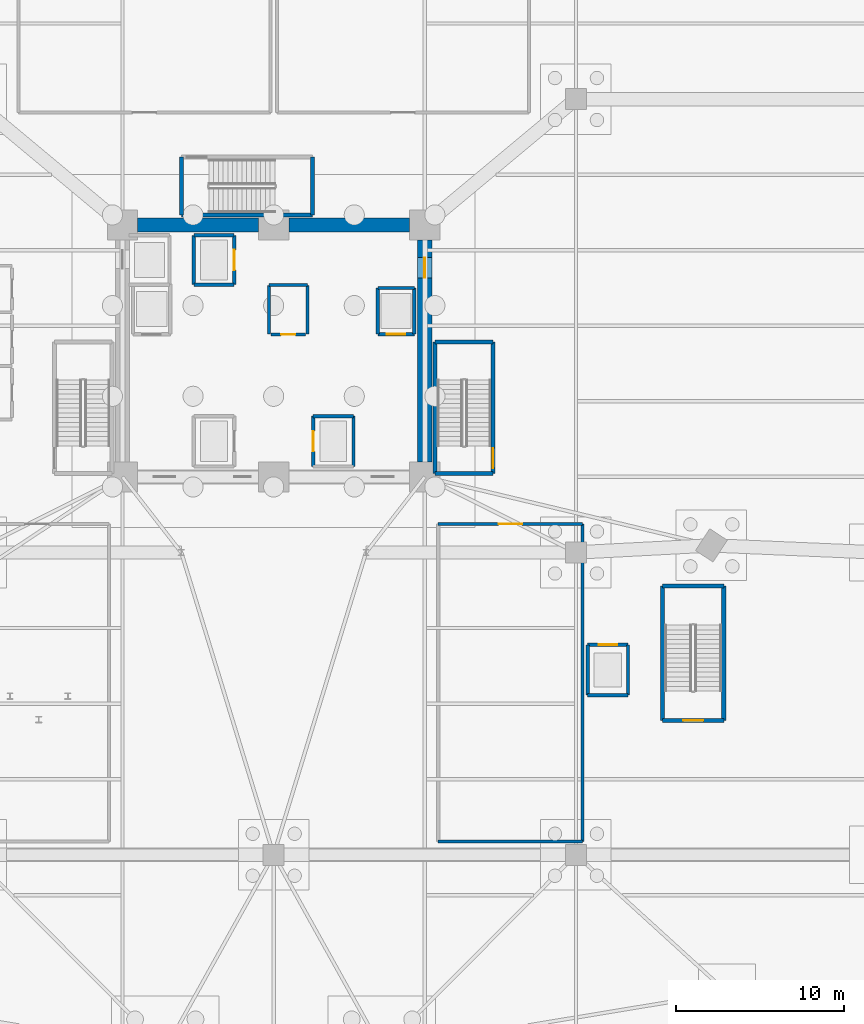
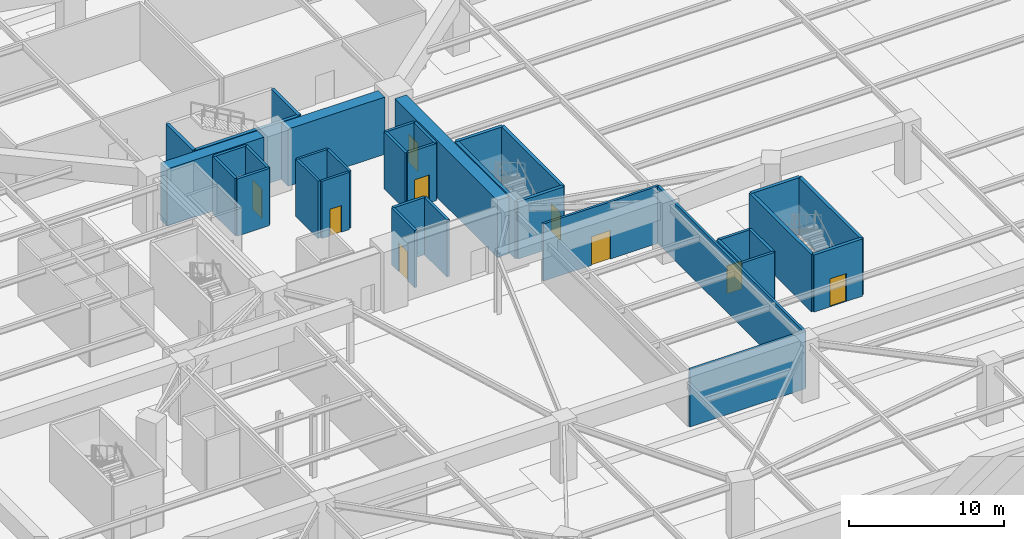
# One storey, part 11 of 19: 36 walls, 9 doors, 9 openings.
"""IFC4 building model written with IfcOpenShell, lengths in metres."""

from ifc_helpers import new_model, si_unit, direction, frame, frame_2d, origin, place, context, subcontext, project, spatial, rectangle, extrude, source, transform, mapped, material, layer, layer_set, type_object, element, fill, save


model = new_model("IFC4")

# Units and contexts
model_context = context("Model", 3, precision=1e-05, world=origin(), true_north=direction((0.0, 1.0)))
body_context = subcontext(model_context, "Body", "Model", "MODEL_VIEW")
ifc_project = project(units=[si_unit("LENGTHUNIT", "METRE"), si_unit("AREAUNIT", "SQUARE_METRE"), si_unit("VOLUMEUNIT", "CUBIC_METRE"), si_unit("PLANEANGLEUNIT", "RADIAN"), si_unit("MASSUNIT", "GRAM", prefix="KILO")], contexts=[model_context])

# Site, building, storey
site_placement = place(None, origin())
site = spatial("IfcSite", under=ifc_project, at=site_placement, CompositionType="ELEMENT")
building_placement = place(site_placement, origin())
building = spatial("IfcBuilding", under=site, at=building_placement, Name="Liaohun Quay Tower", CompositionType="ELEMENT")
storey_placement = place(building_placement, frame((0.0, 0.0, -9.60009765625)))
storey = spatial("IfcBuildingStorey", under=building, at=storey_placement, Name="B2", CompositionType="ELEMENT", Elevation=-9.60009765625)

# Walls
ifc_material_1 = material(Name="Concrete C60", Category="concrete")
ifc_layer_1 = layer(ifc_material_1, 0.85009765625, Name="Concrete C60", Category="concrete")
ifc_layer_set_1 = layer_set([ifc_layer_1], Name="Concrete C60")
wall_type_1 = type_object("IfcWallType", Name="WAL-COR-Z1", PredefinedType="SHEAR", material=ifc_layer_set_1)
for number, where, z_axis, x_axis, name in (
    (1, (51.89990234375, 61.5, 0.0), (0.0, 0.0, 1.0), (1.0, 0.0, 0.0), "B2 Central Core Shear Wall N-W"),
    (2, (60.89990234375, 61.5, 0.0), (0.0, 0.0, 1.0), (1.0, 0.0, 0.0), "B2 Central Core Shear Wall N-E"),
):
    element("IfcWall", number, at=place(storey_placement, frame(where, z_axis=z_axis, x_axis=x_axis)), inside=storey, type_object=wall_type_1, Name=name, PredefinedType="SHEAR", context=body_context, shape_type="SweptSolid", body=[
        extrude(rectangle(XDim=7.2001953125, YDim=0.85009765625, at=frame_2d((3.60009765625, 0.0))), origin(), (0.0, 0.0, 1.0), 4.5),
    ])

# Wall, opening, door
wall_1_placement = place(storey_placement, frame((69.0, 60.60009765625, 0.0), z_axis=(0.0, 0.0, 1.0), x_axis=(0.0, -1.0, 0.0)))
wall_1 = element("IfcWall", 3, at=wall_1_placement, inside=storey, type_object=wall_type_1, Name="B2 Central Core Shear Wall E", PredefinedType="SHEAR", context=body_context, shape_type="SweptSolid", body=[
    extrude(rectangle(XDim=13.2001953125, YDim=0.85009765625, at=frame_2d((6.60009765625, 0.0))), origin(), (0.0, 0.0, 1.0), 4.5),
])
shared_shape_1 = source(origin(), body_context, "Body", "SweptSolid", [
    extrude(rectangle(XDim=1.199951171875, YDim=2.199951171875, at=frame_2d((0.60009765625, 1.10009765625))), frame((0.0, 0.43505859375, 0.0), z_axis=(0.0, -1.0, 0.0), x_axis=(1.0, 0.0, 0.0)), (0.0, 0.0, 1.0), 0.8701171875),
])
opening_1_placement = place(wall_1_placement, frame((1.050048828125, 0.0, 0.0)))
opening_1 = element("IfcOpeningElement", 4, at=opening_1_placement, cuts=wall_1, Name="Opening SD1", PredefinedType="OPENING", context=body_context, shape_type="MappedRepresentation", body=[
    mapped(shared_shape_1, transform((0.0, 0.0, 0.0), x_axis=(1.0, 0.0, 0.0), y_axis=(0.0, 1.0, 0.0), z_axis=(0.0, 0.0, 1.0), scale=1.0)),
])
ifc_material_2 = material(Name="Galvanised steel fire door", Category="steel")
door_type_1 = type_object("IfcDoorType", Name="DOR-STR-1200", OperationType="NOTDEFINED", PredefinedType="DOOR", material=ifc_material_2)
shared_shape_2 = source(origin(), body_context, "Body", "SweptSolid", [
    extrude(rectangle(XDim=1.199951171875, YDim=2.199951171875, at=frame_2d((0.60009765625, 1.10009765625))), frame((0.0, 0.02490234375, 0.0), z_axis=(0.0, -1.0, 0.0), x_axis=(1.0, 0.0, 0.0)), (0.0, 0.0, 1.0), 0.050048828125),
])
door_1_placement = place(opening_1_placement, origin())
door_1 = element("IfcDoor", 5, at=door_1_placement, inside=storey, type_object=door_type_1, Name="B2 North-East Core Lobby Smokeproof Door", OperationType="SINGLE_SWING_LEFT", OverallHeight=2.199951171875, OverallWidth=1.199951171875, PredefinedType="DOOR", context=body_context, shape_type="MappedRepresentation", body=[
    mapped(shared_shape_2, transform((0.0, 0.0, 0.0), x_axis=(1.0, 0.0, 0.0), y_axis=(0.0, 1.0, 0.0), z_axis=(0.0, 0.0, 1.0), scale=1.0)),
])
fill(opening_1, door_1)

ifc_material_3 = material(Name="Autoclaved aerated concrete blockwork", Category="masonry")
ifc_layer_2 = layer(ifc_material_3, 0.179931640625, Name="Autoclaved aerated concrete blockwork", Category="masonry")
ifc_layer_set_2 = layer_set([ifc_layer_2], Name="Autoclaved aerated concrete blockwork")
wall_type_2 = type_object("IfcWallType", Name="WAL-PRT-COR", PredefinedType="PARTITIONING", material=ifc_layer_set_2)
wall_2_placement = place(storey_placement, frame((59.840087890625, 54.97998046875, 0.0), z_axis=(0.0, 0.0, 1.0), x_axis=(1.0, 0.0, 0.0)))
wall_2 = element("IfcWall", 6, at=wall_2_placement, inside=storey, type_object=wall_type_2, Name="B2 Interior Partition Wall 001", PredefinedType="PARTITIONING", context=body_context, shape_type="SweptSolid", body=[
    extrude(rectangle(XDim=2.059814453125, YDim=0.179931640625, at=frame_2d((1.02978515625, 0.0))), origin(), (0.0, 0.0, 1.0), 4.5),
])
shared_shape_3 = source(origin(), body_context, "Body", "SweptSolid", [
    extrude(rectangle(XDim=0.85009765625, YDim=2.10009765625, at=frame_2d((0.425048828125, 1.050048828125))), frame((0.0, 0.099853515625, 0.0), z_axis=(0.0, -1.0, 0.0), x_axis=(1.0, 0.0, 0.0)), (0.0, 0.0, 1.0), 0.199951171875),
])
opening_2_placement = place(wall_2_placement, frame((0.60498046875, 0.0, 0.0)))
opening_2 = element("IfcOpeningElement", 7, at=opening_2_placement, cuts=wall_2, Name="Opening AD1", PredefinedType="OPENING", context=body_context, shape_type="MappedRepresentation", body=[
    mapped(shared_shape_3, transform((0.0, 0.0, 0.0), x_axis=(1.0, 0.0, 0.0), y_axis=(0.0, 1.0, 0.0), z_axis=(0.0, 0.0, 1.0), scale=1.0)),
])
ifc_material_4 = material(Name="Steel riser inspection fire door", Category="steel")
door_type_2 = type_object("IfcDoorType", Name="DOR-SHF-850", OperationType="NOTDEFINED", PredefinedType="DOOR", material=ifc_material_4)
shared_shape_4 = source(origin(), body_context, "Body", "SweptSolid", [
    extrude(rectangle(XDim=0.85009765625, YDim=2.10009765625, at=frame_2d((0.425048828125, 1.050048828125))), frame((0.0, 0.02490234375, 0.0), z_axis=(0.0, -1.0, 0.0), x_axis=(1.0, 0.0, 0.0)), (0.0, 0.0, 1.0), 0.050048828125),
])
door_2_placement = place(opening_2_placement, origin())
door_2 = element("IfcDoor", 8, at=door_2_placement, inside=storey, type_object=door_type_2, Name="B2 Core Electrical and Telecom Riser Room Door", OperationType="SINGLE_SWING_RIGHT", OverallHeight=2.10009765625, OverallWidth=0.85009765625, PredefinedType="DOOR", context=body_context, shape_type="MappedRepresentation", body=[
    mapped(shared_shape_4, transform((0.0, 0.0, 0.0), x_axis=(1.0, 0.0, 0.0), y_axis=(0.0, 1.0, 0.0), z_axis=(0.0, 0.0, 1.0), scale=1.0)),
])
fill(opening_2, door_2)

wall_3_placement = place(storey_placement, frame((69.800048828125, 43.699951171875, 0.0), z_axis=(0.0, 0.0, 1.0), x_axis=(1.0, 0.0, 0.0)))
wall_3 = element("IfcWall", 9, at=wall_3_placement, inside=storey, type_object=wall_type_2, Name="B2 Interior Partition Wall 006", PredefinedType="PARTITIONING", context=body_context, shape_type="SweptSolid", body=[
    extrude(rectangle(XDim=8.599853515625, YDim=0.179931640625, at=frame_2d((4.2998046875, 0.0))), origin(), (0.0, 0.0, 1.0), 4.5),
])
shared_shape_5 = source(origin(), body_context, "Body", "SweptSolid", [
    extrude(rectangle(XDim=1.39990234375, YDim=2.25, at=frame_2d((0.699951171875, 1.125))), frame((0.0, 0.099853515625, 0.0), z_axis=(0.0, -1.0, 0.0), x_axis=(1.0, 0.0, 0.0)), (0.0, 0.0, 1.0), 0.199951171875),
])
opening_3_placement = place(wall_3_placement, frame((3.60009765625, 0.0, 0.0)))
opening_3 = element("IfcOpeningElement", 10, at=opening_3_placement, cuts=wall_3, Name="Opening MD1", PredefinedType="OPENING", context=body_context, shape_type="MappedRepresentation", body=[
    mapped(shared_shape_5, transform((0.0, 0.0, 0.0), x_axis=(1.0, 0.0, 0.0), y_axis=(0.0, 1.0, 0.0), z_axis=(0.0, 0.0, 1.0), scale=1.0)),
])
ifc_material_5 = material(Name="Insulated steel plant room door", Category="steel")
door_type_3 = type_object("IfcDoorType", Name="DOR-MEP-1400", OperationType="DOUBLE_DOOR_SINGLE_SWING", PredefinedType="DOOR", material=ifc_material_5)
shared_shape_6 = source(origin(), body_context, "Body", "SweptSolid", [
    extrude(rectangle(XDim=1.39990234375, YDim=2.25, at=frame_2d((0.699951171875, 1.125))), frame((0.0, 0.02490234375, 0.0), z_axis=(0.0, -1.0, 0.0), x_axis=(1.0, 0.0, 0.0)), (0.0, 0.0, 1.0), 0.050048828125),
])
door_3_placement = place(opening_3_placement, origin())
door_3 = element("IfcDoor", 11, at=door_3_placement, inside=storey, type_object=door_type_3, Name="B2 Fire Sprinkler and Domestic Water Pump Room Door", OperationType="DOUBLE_DOOR_SINGLE_SWING", OverallHeight=2.25, OverallWidth=1.39990234375, PredefinedType="DOOR", context=body_context, shape_type="MappedRepresentation", body=[
    mapped(shared_shape_6, transform((0.0, 0.0, 0.0), x_axis=(1.0, 0.0, 0.0), y_axis=(0.0, 1.0, 0.0), z_axis=(0.0, 0.0, 1.0), scale=1.0)),
])
fill(opening_3, door_3)

# Walls
for number, where, z_axis, x_axis, name in (
    (12, (59.719970703125, 55.02001953125, 0.0), (0.0, 0.0, 1.0), (0.0, 1.0, 0.0), "B2 Interior Partition Wall 009"),
    (13, (62.010009765625, 55.02001953125, 0.0), (0.0, 0.0, 1.0), (0.0, 1.0, 0.0), "B2 Interior Partition Wall 010"),
):
    element("IfcWall", number, at=place(storey_placement, frame(where, z_axis=z_axis, x_axis=x_axis)), inside=storey, type_object=wall_type_2, Name=name, PredefinedType="PARTITIONING", context=body_context, shape_type="SweptSolid", body=[
        extrude(rectangle(XDim=2.8798828125, YDim=0.179931640625, at=frame_2d((1.43994140625, 0.0))), origin(), (0.0, 0.0, 1.0), 4.5),
    ])
wall_4_placement = place(storey_placement, frame((59.719970703125, 57.919921875, 0.0), z_axis=(0.0, 0.0, 1.0), x_axis=(1.0, 0.0, 0.0)))
element("IfcWall", 14, at=wall_4_placement, inside=storey, type_object=wall_type_2, Name="B2 Interior Partition Wall 011", PredefinedType="PARTITIONING", context=body_context, shape_type="SweptSolid", body=[
    extrude(rectangle(XDim=2.2900390625, YDim=0.179931640625, at=frame_2d((1.14501953125, 0.0))), origin(), (0.0, 0.0, 1.0), 4.5),
])
wall_5_placement = place(storey_placement, frame((69.800048828125, 24.800048828125, 0.0), z_axis=(0.0, 0.0, 1.0), x_axis=(1.0, 0.0, 0.0)))
element("IfcWall", 15, at=wall_5_placement, inside=storey, type_object=wall_type_2, Name="B2 Interior Partition Wall 020", PredefinedType="PARTITIONING", context=body_context, shape_type="SweptSolid", body=[
    extrude(rectangle(XDim=8.599853515625, YDim=0.179931640625, at=frame_2d((4.2998046875, 0.0))), origin(), (0.0, 0.0, 1.0), 4.5),
])
wall_6_placement = place(storey_placement, frame((78.39990234375, 24.800048828125, 0.0), z_axis=(0.0, 0.0, 1.0), x_axis=(0.0, 1.0, 0.0)))
element("IfcWall", 16, at=wall_6_placement, inside=storey, type_object=wall_type_2, Name="B2 Interior Partition Wall 022", PredefinedType="PARTITIONING", context=body_context, shape_type="SweptSolid", body=[
    extrude(rectangle(XDim=18.89990234375, YDim=0.179931640625, at=frame_2d((9.449951171875, 0.0))), origin(), (0.0, 0.0, 1.0), 4.5),
])
ifc_material_6 = material(Name="Concrete C50", Category="concrete")
ifc_layer_3 = layer(ifc_material_6, 0.239990234375, Name="Concrete C50", Category="concrete")
ifc_layer_set_3 = layer_set([ifc_layer_3], Name="Concrete C50")
wall_type_3 = type_object("IfcWallType", Name="WAL-SHF-200", PredefinedType="SOLIDWALL", material=ifc_layer_set_3)
wall_7_placement = place(storey_placement, frame((69.6201171875, 46.699951171875, 0.0), z_axis=(0.0, 0.0, 1.0), x_axis=(1.0, 0.0, 0.0)))
element("IfcWall", 17, at=wall_7_placement, inside=storey, type_object=wall_type_3, Name="B2 Stairwell ST-2 Structural Core Wall S", PredefinedType="SOLIDWALL", context=body_context, shape_type="SweptSolid", body=[
    extrude(rectangle(XDim=3.43994140625, YDim=0.239990234375, at=frame_2d((1.719970703125, 0.0))), origin(), (0.0, 0.0, 1.0), 4.5),
])

# Wall, opening, door
wall_8_placement = place(storey_placement, frame((73.06005859375, 46.699951171875, 0.0), z_axis=(0.0, 0.0, 1.0), x_axis=(0.0, 1.0, 0.0)))
wall_8 = element("IfcWall", 18, at=wall_8_placement, inside=storey, type_object=wall_type_3, Name="B2 Stairwell ST-2 Structural Core Wall E", PredefinedType="SOLIDWALL", context=body_context, shape_type="SweptSolid", body=[
    extrude(rectangle(XDim=7.820068359375, YDim=0.239990234375, at=frame_2d((3.91015625, 0.0))), origin(), (0.0, 0.0, 1.0), 4.5),
])
shared_shape_7 = source(origin(), body_context, "Body", "SweptSolid", [
    extrude(rectangle(XDim=1.199951171875, YDim=2.199951171875, at=frame_2d((0.60009765625, 1.10009765625))), frame((0.0, 0.1298828125, 0.0), z_axis=(0.0, -1.0, 0.0), x_axis=(1.0, 0.0, 0.0)), (0.0, 0.0, 1.0), 0.260009765625),
])
opening_4_placement = place(wall_8_placement, frame((0.320068359375, 0.0, 0.0)))
opening_4 = element("IfcOpeningElement", 19, at=opening_4_placement, cuts=wall_8, Name="Opening SD1", PredefinedType="OPENING", context=body_context, shape_type="MappedRepresentation", body=[
    mapped(shared_shape_7, transform((0.0, 0.0, 0.0), x_axis=(1.0, 0.0, 0.0), y_axis=(0.0, 1.0, 0.0), z_axis=(0.0, 0.0, 1.0), scale=1.0)),
])
door_4_placement = place(opening_4_placement, origin())
door_4 = element("IfcDoor", 20, at=door_4_placement, inside=storey, type_object=door_type_1, Name="B2 Protected Stair ST-2 Fire Door", OperationType="SINGLE_SWING_RIGHT", OverallHeight=2.199951171875, OverallWidth=1.199951171875, PredefinedType="DOOR", context=body_context, shape_type="MappedRepresentation", body=[
    mapped(shared_shape_2, transform((0.0, 0.0, 0.0), x_axis=(1.0, 0.0, 0.0), y_axis=(0.0, 1.0, 0.0), z_axis=(0.0, 0.0, 1.0), scale=1.0)),
])
fill(opening_4, door_4)

# Walls
wall_9_placement = place(storey_placement, frame((73.06005859375, 54.52001953125, 0.0), z_axis=(0.0, 0.0, 1.0), x_axis=(-1.0, 0.0, 0.0)))
element("IfcWall", 21, at=wall_9_placement, inside=storey, type_object=wall_type_3, Name="B2 Stairwell ST-2 Structural Core Wall N", PredefinedType="SOLIDWALL", context=body_context, shape_type="SweptSolid", body=[
    extrude(rectangle(XDim=3.43994140625, YDim=0.239990234375, at=frame_2d((1.719970703125, 0.0))), origin(), (0.0, 0.0, 1.0), 4.5),
])
for number, where, z_axis, x_axis, name in (
    (22, (69.6201171875, 54.52001953125, 0.0), (0.0, 0.0, 1.0), (0.0, -1.0, 0.0), "B2 Stairwell ST-2 Structural Core Wall W"),
    (23, (54.5, 62.10009765625, 0.0), (0.0, 0.0, 1.0), (1.0, 0.0, 0.0), "B2 Stairwell ST-3 Structural Core Wall S"),
):
    element("IfcWall", number, at=place(storey_placement, frame(where, z_axis=z_axis, x_axis=x_axis)), inside=storey, type_object=wall_type_3, Name=name, PredefinedType="SOLIDWALL", context=body_context, shape_type="SweptSolid", body=[
        extrude(rectangle(XDim=7.820068359375, YDim=0.239990234375, at=frame_2d((3.91015625, 0.0))), origin(), (0.0, 0.0, 1.0), 4.5),
    ])
for number, where, z_axis, x_axis, name in (
    (24, (62.320068359375, 62.10009765625, 0.0), (0.0, 0.0, 1.0), (0.0, 1.0, 0.0), "B2 Stairwell ST-3 Structural Core Wall E"),
    (25, (54.5, 65.5400390625, 0.0), (0.0, 0.0, 1.0), (0.0, -1.0, 0.0), "B2 Stairwell ST-3 Structural Core Wall W"),
):
    element("IfcWall", number, at=place(storey_placement, frame(where, z_axis=z_axis, x_axis=x_axis)), inside=storey, type_object=wall_type_3, Name=name, PredefinedType="SOLIDWALL", context=body_context, shape_type="SweptSolid", body=[
        extrude(rectangle(XDim=3.43994140625, YDim=0.239990234375, at=frame_2d((1.719970703125, 0.0))), origin(), (0.0, 0.0, 1.0), 4.5),
    ])

# Wall, opening, door
wall_10_placement = place(storey_placement, frame((83.159912109375, 32.0, 0.0), z_axis=(0.0, 0.0, 1.0), x_axis=(1.0, 0.0, 0.0)))
wall_10 = element("IfcWall", 26, at=wall_10_placement, inside=storey, type_object=wall_type_3, Name="B2 Stairwell ST-P2 Structural Core Wall S", PredefinedType="SOLIDWALL", context=body_context, shape_type="SweptSolid", body=[
    extrude(rectangle(XDim=3.64013671875, YDim=0.239990234375, at=frame_2d((1.820068359375, 0.0))), origin(), (0.0, 0.0, 1.0), 4.5),
])
opening_5_placement = place(wall_10_placement, frame((1.219970703125, 0.0, 0.0)))
opening_5 = element("IfcOpeningElement", 27, at=opening_5_placement, cuts=wall_10, Name="Opening SD1", PredefinedType="OPENING", context=body_context, shape_type="MappedRepresentation", body=[
    mapped(shared_shape_7, transform((0.0, 0.0, 0.0), x_axis=(1.0, 0.0, 0.0), y_axis=(0.0, 1.0, 0.0), z_axis=(0.0, 0.0, 1.0), scale=1.0)),
])
door_5_placement = place(opening_5_placement, origin())
door_5 = element("IfcDoor", 28, at=door_5_placement, inside=storey, type_object=door_type_1, Name="B2 Protected Stair ST-P2 Fire Door", OperationType="SINGLE_SWING_RIGHT", OverallHeight=2.199951171875, OverallWidth=1.199951171875, PredefinedType="DOOR", context=body_context, shape_type="MappedRepresentation", body=[
    mapped(shared_shape_2, transform((0.0, 0.0, 0.0), x_axis=(1.0, 0.0, 0.0), y_axis=(0.0, 1.0, 0.0), z_axis=(0.0, 0.0, 1.0), scale=1.0)),
])
fill(opening_5, door_5)

# Walls
wall_11_placement = place(storey_placement, frame((86.800048828125, 32.0, 0.0), z_axis=(0.0, 0.0, 1.0), x_axis=(0.0, 1.0, 0.0)))
element("IfcWall", 29, at=wall_11_placement, inside=storey, type_object=wall_type_3, Name="B2 Stairwell ST-P2 Structural Core Wall E", PredefinedType="SOLIDWALL", context=body_context, shape_type="SweptSolid", body=[
    extrude(rectangle(XDim=8.0, YDim=0.239990234375, at=frame_2d((4.0, 0.0))), origin(), (0.0, 0.0, 1.0), 4.5),
])
wall_12_placement = place(storey_placement, frame((86.800048828125, 40.0, 0.0), z_axis=(0.0, 0.0, 1.0), x_axis=(-1.0, 0.0, 0.0)))
element("IfcWall", 30, at=wall_12_placement, inside=storey, type_object=wall_type_3, Name="B2 Stairwell ST-P2 Structural Core Wall N", PredefinedType="SOLIDWALL", context=body_context, shape_type="SweptSolid", body=[
    extrude(rectangle(XDim=3.64013671875, YDim=0.239990234375, at=frame_2d((1.820068359375, 0.0))), origin(), (0.0, 0.0, 1.0), 4.5),
])
wall_13_placement = place(storey_placement, frame((83.159912109375, 40.0, 0.0), z_axis=(0.0, 0.0, 1.0), x_axis=(0.0, -1.0, 0.0)))
element("IfcWall", 31, at=wall_13_placement, inside=storey, type_object=wall_type_3, Name="B2 Stairwell ST-P2 Structural Core Wall W", PredefinedType="SOLIDWALL", context=body_context, shape_type="SweptSolid", body=[
    extrude(rectangle(XDim=8.0, YDim=0.239990234375, at=frame_2d((4.0, 0.0))), origin(), (0.0, 0.0, 1.0), 4.5),
])
wall_14_placement = place(storey_placement, frame((64.75, 47.1201171875, 0.0), z_axis=(0.0, 0.0, 1.0), x_axis=(0.0, 1.0, 0.0)))
element("IfcWall", 32, at=wall_14_placement, inside=storey, type_object=wall_type_3, Name="B2 Lift FF-02 Hoistway Wall E", PredefinedType="SOLIDWALL", context=body_context, shape_type="SweptSolid", body=[
    extrude(rectangle(XDim=3.0, YDim=0.199951171875, at=frame_2d((1.5, 0.0))), origin(), (0.0, 0.0, 1.0), 4.5),
])
wall_15_placement = place(storey_placement, frame((64.75, 50.1201171875, 0.0), z_axis=(0.0, 0.0, 1.0), x_axis=(-1.0, 0.0, 0.0)))
element("IfcWall", 33, at=wall_15_placement, inside=storey, type_object=wall_type_3, Name="B2 Lift FF-02 Hoistway Wall N", PredefinedType="SOLIDWALL", context=body_context, shape_type="SweptSolid", body=[
    extrude(rectangle(XDim=2.39990234375, YDim=0.199951171875, at=frame_2d((1.199951171875, 0.0))), origin(), (0.0, 0.0, 1.0), 4.5),
])

# Wall, opening, door
wall_16_placement = place(storey_placement, frame((62.35009765625, 50.1201171875, 0.0), z_axis=(0.0, 0.0, 1.0), x_axis=(0.0, -1.0, 0.0)))
wall_16 = element("IfcWall", 34, at=wall_16_placement, inside=storey, type_object=wall_type_3, Name="B2 Lift FF-02 Hoistway Wall W", PredefinedType="SOLIDWALL", context=body_context, shape_type="SweptSolid", body=[
    extrude(rectangle(XDim=3.0, YDim=0.199951171875, at=frame_2d((1.5, 0.0))), origin(), (0.0, 0.0, 1.0), 4.5),
])
shared_shape_8 = source(origin(), body_context, "Body", "SweptSolid", [
    extrude(rectangle(XDim=1.199951171875, YDim=2.300048828125, at=frame_2d((0.60009765625, 1.14990234375))), frame((0.0, 0.10986328125, 0.0), z_axis=(0.0, -1.0, 0.0), x_axis=(1.0, 0.0, 0.0)), (0.0, 0.0, 1.0), 0.219970703125),
])
opening_6_placement = place(wall_16_placement, frame((0.89990234375, 0.0, 0.0)))
opening_6 = element("IfcOpeningElement", 35, at=opening_6_placement, cuts=wall_16, Name="Opening LD2", PredefinedType="OPENING", context=body_context, shape_type="MappedRepresentation", body=[
    mapped(shared_shape_8, transform((0.0, 0.0, 0.0), x_axis=(1.0, 0.0, 0.0), y_axis=(0.0, 1.0, 0.0), z_axis=(0.0, 0.0, 1.0), scale=1.0)),
])
ifc_material_7 = material(Name="Brushed stainless steel stretcher landing door", Category="steel")
door_type_4 = type_object("IfcDoorType", Name="DOR-LFT-1200", OperationType="SLIDING_TO_LEFT", PredefinedType="DOOR", material=ifc_material_7)
shared_shape_9 = source(origin(), body_context, "Body", "SweptSolid", [
    extrude(rectangle(XDim=1.199951171875, YDim=2.300048828125, at=frame_2d((0.60009765625, 1.14990234375))), frame((0.0, 0.02490234375, 0.0), z_axis=(0.0, -1.0, 0.0), x_axis=(1.0, 0.0, 0.0)), (0.0, 0.0, 1.0), 0.050048828125),
])
door_6_placement = place(opening_6_placement, origin())
door_6 = element("IfcDoor", 36, at=door_6_placement, inside=storey, type_object=door_type_4, Name="B2 Lift FF-02 Sliding Landing Door", OperationType="SLIDING_TO_LEFT", OverallHeight=2.300048828125, OverallWidth=1.199951171875, PredefinedType="DOOR", context=body_context, shape_type="MappedRepresentation", body=[
    mapped(shared_shape_9, transform((0.0, 0.0, 0.0), x_axis=(1.0, 0.0, 0.0), y_axis=(0.0, 1.0, 0.0), z_axis=(0.0, 0.0, 1.0), scale=1.0)),
])
fill(opening_6, door_6)

# Wall
wall_17_placement = place(storey_placement, frame((55.25, 57.949951171875, 0.0), z_axis=(0.0, 0.0, 1.0), x_axis=(1.0, 0.0, 0.0)))
element("IfcWall", 37, at=wall_17_placement, inside=storey, type_object=wall_type_3, Name="B2 Lift FF-03 Hoistway Wall S", PredefinedType="SOLIDWALL", context=body_context, shape_type="SweptSolid", body=[
    extrude(rectangle(XDim=2.39990234375, YDim=0.199951171875, at=frame_2d((1.199951171875, 0.0))), origin(), (0.0, 0.0, 1.0), 4.5),
])

# Wall, opening, door
wall_18_placement = place(storey_placement, frame((57.64990234375, 57.949951171875, 0.0), z_axis=(0.0, 0.0, 1.0), x_axis=(0.0, 1.0, 0.0)))
wall_18 = element("IfcWall", 38, at=wall_18_placement, inside=storey, type_object=wall_type_3, Name="B2 Lift FF-03 Hoistway Wall E", PredefinedType="SOLIDWALL", context=body_context, shape_type="SweptSolid", body=[
    extrude(rectangle(XDim=2.929931640625, YDim=0.199951171875, at=frame_2d((1.46484375, 0.0))), origin(), (0.0, 0.0, 1.0), 4.5),
])
opening_7_placement = place(wall_18_placement, frame((0.864990234375, 0.0, 0.0)))
opening_7 = element("IfcOpeningElement", 39, at=opening_7_placement, cuts=wall_18, Name="Opening LD2", PredefinedType="OPENING", context=body_context, shape_type="MappedRepresentation", body=[
    mapped(shared_shape_8, transform((0.0, 0.0, 0.0), x_axis=(1.0, 0.0, 0.0), y_axis=(0.0, 1.0, 0.0), z_axis=(0.0, 0.0, 1.0), scale=1.0)),
])
door_7_placement = place(opening_7_placement, origin())
door_7 = element("IfcDoor", 40, at=door_7_placement, inside=storey, type_object=door_type_4, Name="B2 Lift FF-03 Sliding Landing Door", OperationType="SLIDING_TO_LEFT", OverallHeight=2.300048828125, OverallWidth=1.199951171875, PredefinedType="DOOR", context=body_context, shape_type="MappedRepresentation", body=[
    mapped(shared_shape_9, transform((0.0, 0.0, 0.0), x_axis=(1.0, 0.0, 0.0), y_axis=(0.0, 1.0, 0.0), z_axis=(0.0, 0.0, 1.0), scale=1.0)),
])
fill(opening_7, door_7)

# Walls
wall_19_placement = place(storey_placement, frame((57.64990234375, 60.8798828125, 0.0), z_axis=(0.0, 0.0, 1.0), x_axis=(-1.0, 0.0, 0.0)))
element("IfcWall", 41, at=wall_19_placement, inside=storey, type_object=wall_type_3, Name="B2 Lift FF-03 Hoistway Wall N", PredefinedType="SOLIDWALL", context=body_context, shape_type="SweptSolid", body=[
    extrude(rectangle(XDim=2.39990234375, YDim=0.199951171875, at=frame_2d((1.199951171875, 0.0))), origin(), (0.0, 0.0, 1.0), 4.5),
])
wall_20_placement = place(storey_placement, frame((55.25, 60.8798828125, 0.0), z_axis=(0.0, 0.0, 1.0), x_axis=(0.0, -1.0, 0.0)))
element("IfcWall", 42, at=wall_20_placement, inside=storey, type_object=wall_type_3, Name="B2 Lift FF-03 Hoistway Wall W", PredefinedType="SOLIDWALL", context=body_context, shape_type="SweptSolid", body=[
    extrude(rectangle(XDim=2.929931640625, YDim=0.199951171875, at=frame_2d((1.46484375, 0.0))), origin(), (0.0, 0.0, 1.0), 4.5),
])

# Wall, opening, door
wall_21_placement = place(storey_placement, frame((66.199951171875, 55.0, 0.0), z_axis=(0.0, 0.0, 1.0), x_axis=(1.0, 0.0, 0.0)))
wall_21 = element("IfcWall", 43, at=wall_21_placement, inside=storey, type_object=wall_type_3, Name="B2 Lift SH-03 Hoistway Wall S", PredefinedType="SOLIDWALL", context=body_context, shape_type="SweptSolid", body=[
    extrude(rectangle(XDim=2.179931640625, YDim=0.199951171875, at=frame_2d((1.08984375, 0.0))), origin(), (0.0, 0.0, 1.0), 4.5),
])
shared_shape_10 = source(origin(), body_context, "Body", "SweptSolid", [
    extrude(rectangle(XDim=1.10009765625, YDim=2.199951171875, at=frame_2d((0.550048828125, 1.10009765625))), frame((0.0, 0.10986328125, 0.0), z_axis=(0.0, -1.0, 0.0), x_axis=(1.0, 0.0, 0.0)), (0.0, 0.0, 1.0), 0.219970703125),
])
opening_8_placement = place(wall_21_placement, frame((0.5400390625, 0.0, 0.0)))
opening_8 = element("IfcOpeningElement", 44, at=opening_8_placement, cuts=wall_21, Name="Opening LD1", PredefinedType="OPENING", context=body_context, shape_type="MappedRepresentation", body=[
    mapped(shared_shape_10, transform((0.0, 0.0, 0.0), x_axis=(1.0, 0.0, 0.0), y_axis=(0.0, 1.0, 0.0), z_axis=(0.0, 0.0, 1.0), scale=1.0)),
])
ifc_material_8 = material(Name="Brushed stainless steel landing door", Category="steel")
door_type_5 = type_object("IfcDoorType", Name="DOR-LFT-1100", OperationType="SLIDING_TO_LEFT", PredefinedType="DOOR", material=ifc_material_8)
shared_shape_11 = source(origin(), body_context, "Body", "SweptSolid", [
    extrude(rectangle(XDim=1.10009765625, YDim=2.199951171875, at=frame_2d((0.550048828125, 1.10009765625))), frame((0.0, 0.02490234375, 0.0), z_axis=(0.0, -1.0, 0.0), x_axis=(1.0, 0.0, 0.0)), (0.0, 0.0, 1.0), 0.050048828125),
])
door_8_placement = place(opening_8_placement, origin())
door_8 = element("IfcDoor", 45, at=door_8_placement, inside=storey, type_object=door_type_5, Name="B2 Lift SH-03 Sliding Landing Door", OperationType="SLIDING_TO_LEFT", OverallHeight=2.199951171875, OverallWidth=1.10009765625, PredefinedType="DOOR", context=body_context, shape_type="MappedRepresentation", body=[
    mapped(shared_shape_11, transform((0.0, 0.0, 0.0), x_axis=(1.0, 0.0, 0.0), y_axis=(0.0, 1.0, 0.0), z_axis=(0.0, 0.0, 1.0), scale=1.0)),
])
fill(opening_8, door_8)

# Walls
wall_22_placement = place(storey_placement, frame((68.3798828125, 55.0, 0.0), z_axis=(0.0, 0.0, 1.0), x_axis=(0.0, 1.0, 0.0)))
element("IfcWall", 46, at=wall_22_placement, inside=storey, type_object=wall_type_3, Name="B2 Lift SH-03 Hoistway Wall E", PredefinedType="SOLIDWALL", context=body_context, shape_type="SweptSolid", body=[
    extrude(rectangle(XDim=2.75, YDim=0.199951171875, at=frame_2d((1.375, 0.0))), origin(), (0.0, 0.0, 1.0), 4.5),
])
wall_23_placement = place(storey_placement, frame((68.3798828125, 57.75, 0.0), z_axis=(0.0, 0.0, 1.0), x_axis=(-1.0, 0.0, 0.0)))
element("IfcWall", 47, at=wall_23_placement, inside=storey, type_object=wall_type_3, Name="B2 Lift SH-03 Hoistway Wall N", PredefinedType="SOLIDWALL", context=body_context, shape_type="SweptSolid", body=[
    extrude(rectangle(XDim=2.179931640625, YDim=0.199951171875, at=frame_2d((1.08984375, 0.0))), origin(), (0.0, 0.0, 1.0), 4.5),
])
wall_24_placement = place(storey_placement, frame((66.199951171875, 57.75, 0.0), z_axis=(0.0, 0.0, 1.0), x_axis=(0.0, -1.0, 0.0)))
element("IfcWall", 48, at=wall_24_placement, inside=storey, type_object=wall_type_3, Name="B2 Lift SH-03 Hoistway Wall W", PredefinedType="SOLIDWALL", context=body_context, shape_type="SweptSolid", body=[
    extrude(rectangle(XDim=2.75, YDim=0.199951171875, at=frame_2d((1.375, 0.0))), origin(), (0.0, 0.0, 1.0), 4.5),
])
wall_25_placement = place(storey_placement, frame((78.699951171875, 33.5, 0.0), z_axis=(0.0, 0.0, 1.0), x_axis=(1.0, 0.0, 0.0)))
element("IfcWall", 49, at=wall_25_placement, inside=storey, type_object=wall_type_3, Name="B2 Lift PD-02 Hoistway Wall S", PredefinedType="SOLIDWALL", context=body_context, shape_type="SweptSolid", body=[
    extrude(rectangle(XDim=2.400146484375, YDim=0.199951171875, at=frame_2d((1.2001953125, 0.0))), origin(), (0.0, 0.0, 1.0), 4.5),
])
wall_26_placement = place(storey_placement, frame((81.10009765625, 33.5, 0.0), z_axis=(0.0, 0.0, 1.0), x_axis=(0.0, 1.0, 0.0)))
element("IfcWall", 50, at=wall_26_placement, inside=storey, type_object=wall_type_3, Name="B2 Lift PD-02 Hoistway Wall E", PredefinedType="SOLIDWALL", context=body_context, shape_type="SweptSolid", body=[
    extrude(rectangle(XDim=3.0, YDim=0.199951171875, at=frame_2d((1.5, 0.0))), origin(), (0.0, 0.0, 1.0), 4.5),
])

# Wall, opening, door
wall_27_placement = place(storey_placement, frame((81.10009765625, 36.5, 0.0), z_axis=(0.0, 0.0, 1.0), x_axis=(-1.0, 0.0, 0.0)))
wall_27 = element("IfcWall", 51, at=wall_27_placement, inside=storey, type_object=wall_type_3, Name="B2 Lift PD-02 Hoistway Wall N", PredefinedType="SOLIDWALL", context=body_context, shape_type="SweptSolid", body=[
    extrude(rectangle(XDim=2.400146484375, YDim=0.199951171875, at=frame_2d((1.2001953125, 0.0))), origin(), (0.0, 0.0, 1.0), 4.5),
])
opening_9_placement = place(wall_27_placement, frame((0.64990234375, 0.0, 0.0)))
opening_9 = element("IfcOpeningElement", 52, at=opening_9_placement, cuts=wall_27, Name="Opening LD1", PredefinedType="OPENING", context=body_context, shape_type="MappedRepresentation", body=[
    mapped(shared_shape_10, transform((0.0, 0.0, 0.0), x_axis=(1.0, 0.0, 0.0), y_axis=(0.0, 1.0, 0.0), z_axis=(0.0, 0.0, 1.0), scale=1.0)),
])
door_9_placement = place(opening_9_placement, origin())
door_9 = element("IfcDoor", 53, at=door_9_placement, inside=storey, type_object=door_type_5, Name="B2 Lift PD-02 Sliding Landing Door", OperationType="SLIDING_TO_LEFT", OverallHeight=2.199951171875, OverallWidth=1.10009765625, PredefinedType="DOOR", context=body_context, shape_type="MappedRepresentation", body=[
    mapped(shared_shape_11, transform((0.0, 0.0, 0.0), x_axis=(1.0, 0.0, 0.0), y_axis=(0.0, 1.0, 0.0), z_axis=(0.0, 0.0, 1.0), scale=1.0)),
])
fill(opening_9, door_9)

# Wall
wall_28_placement = place(storey_placement, frame((78.699951171875, 36.5, 0.0), z_axis=(0.0, 0.0, 1.0), x_axis=(0.0, -1.0, 0.0)))
element("IfcWall", 54, at=wall_28_placement, inside=storey, type_object=wall_type_3, Name="B2 Lift PD-02 Hoistway Wall W", PredefinedType="SOLIDWALL", context=body_context, shape_type="SweptSolid", body=[
    extrude(rectangle(XDim=3.0, YDim=0.199951171875, at=frame_2d((1.5, 0.0))), origin(), (0.0, 0.0, 1.0), 4.5),
])

save(model, "model.ifc")
